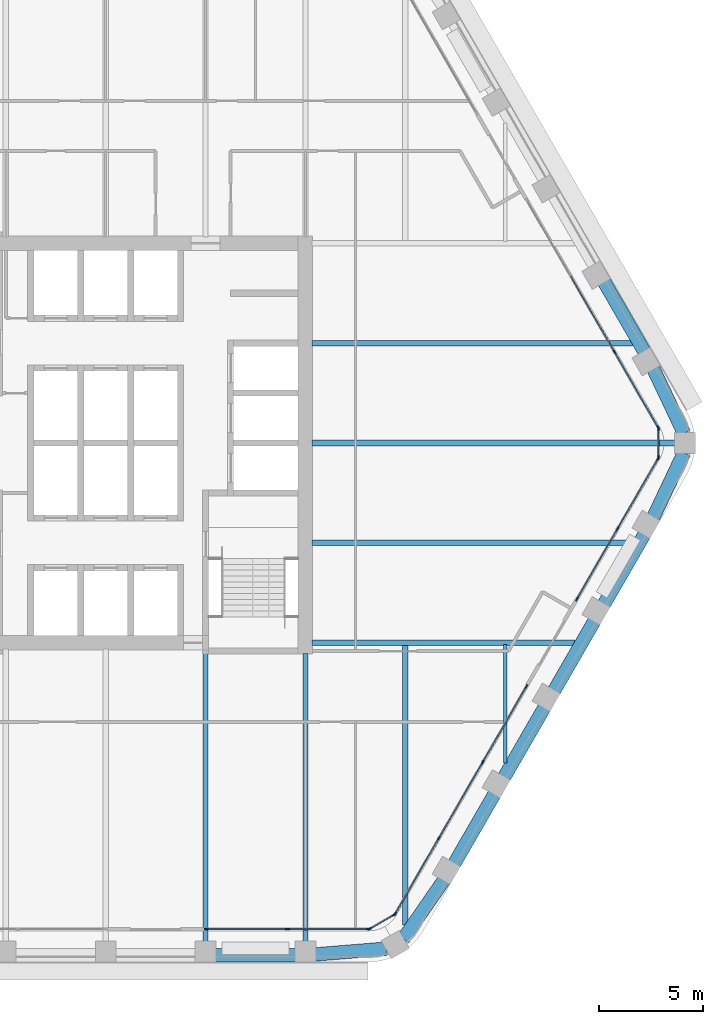
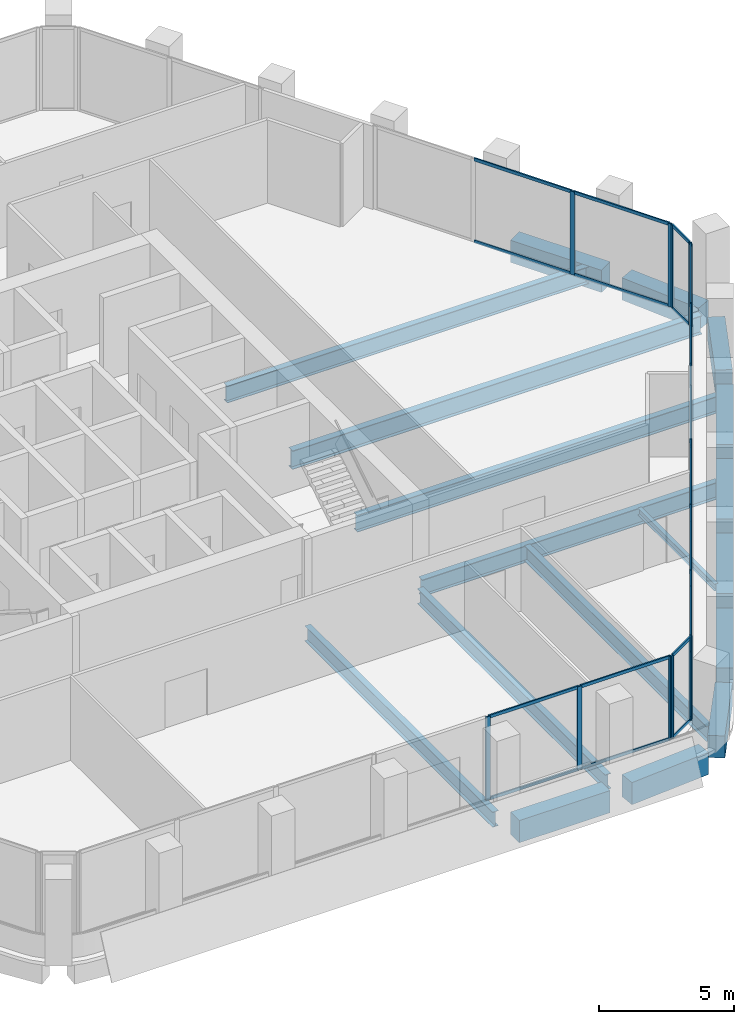
# One storey, part 4 of 15: 38 members, 18 beams, 6 elements without a shape of their own.
"""IFC4 building model written with IfcOpenShell, lengths in metres."""

from ifc_helpers import new_model, si_unit, direction, frame, origin, origin_2d, place, context, subcontext, project, spatial, rectangle, i_section, extrude, material, material_profile, profile_set, type_object, element, aggregate, save


model = new_model("IFC4")

# Units and contexts
model_context = context("Model", 3, precision=1e-05, world=origin(), true_north=direction((0.0, 1.0)))
body_context = subcontext(model_context, "Body", "Model", "MODEL_VIEW")
ifc_project = project(units=[si_unit("LENGTHUNIT", "METRE"), si_unit("AREAUNIT", "SQUARE_METRE"), si_unit("VOLUMEUNIT", "CUBIC_METRE"), si_unit("PLANEANGLEUNIT", "RADIAN"), si_unit("MASSUNIT", "GRAM", prefix="KILO")], contexts=[model_context])

# Site, building, storey
site_placement = place(None, origin())
site = spatial("IfcSite", under=ifc_project, at=site_placement, CompositionType="ELEMENT")
building_placement = place(site_placement, origin())
building = spatial("IfcBuilding", under=site, at=building_placement, Name="Kolab Exchange Tower", CompositionType="ELEMENT")
storey_placement = place(building_placement, frame((0.0, 0.0, 154.39990234375)))
storey = spatial("IfcBuildingStorey", under=building, at=storey_placement, Name="L31", CompositionType="ELEMENT", Elevation=154.39990234375)

# Beams
ifc_material_1 = material(Name="Steel S355", Category="steel")
ifc_material_profile_1 = material_profile(ifc_material_1, i_section(OverallWidth=0.1650390625, OverallDepth=0.31005859375, WebThickness=0.005859375, FlangeThickness=0.009765625, at=origin_2d()), Name="W310X39")
ifc_profile_set_1 = profile_set([ifc_material_profile_1], Name="Steel S355")
beam_type_1 = type_object("IfcBeamType", Name="FLOOR BEAM W310X39", PredefinedType="BEAM", material=ifc_profile_set_1)
beam_1_placement = place(storey_placement, frame((19.199951171875, -15.36767578125, -0.304931640625), z_axis=(0.0, 1.0, 0.0), x_axis=(-1.0, 0.0, 0.0)))
element("IfcBeam", 1, at=beam_1_placement, inside=storey, type_object=beam_type_1, Name="beam/L31/fr/022", PredefinedType="BEAM", context=body_context, shape_type="SweptSolid", body=[
    extrude(i_section(OverallWidth=0.1650390625, OverallDepth=0.31005859375, WebThickness=0.005859375, FlangeThickness=0.009765625, at=origin_2d()), origin(), (0.0, 0.0, 1.0), 5.674072265625),
])
ifc_material_profile_2 = material_profile(ifc_material_1, i_section(OverallWidth=0.25390625, OverallDepth=0.68408203125, WebThickness=0.012451171875, FlangeThickness=0.018798828125, at=origin_2d()), Name="W690X140")
ifc_profile_set_2 = profile_set([ifc_material_profile_2], Name="Steel S355")
beam_type_2 = type_object("IfcBeamType", Name="FLOOR BEAM W690X140", PredefinedType="BEAM", material=ifc_profile_set_2)
for number, where, z_axis, x_axis, name in (
    (2, (4.800048828125, -23.9814453125, -0.491943359375), (0.0, 1.0, 0.0), (-1.0, 0.0, 0.0), "beam/L31/fr/013"),
    (3, (9.60009765625, -23.9814453125, -0.491943359375), (0.0, 1.0, 0.0), (-1.0, 0.0, 0.0), "beam/L31/fr/015"),
):
    element("IfcBeam", number, at=place(storey_placement, frame(where, z_axis=z_axis, x_axis=x_axis)), inside=storey, type_object=beam_type_2, Name=name, PredefinedType="BEAM", context=body_context, shape_type="SweptSolid", body=[
        extrude(i_section(OverallWidth=0.25390625, OverallDepth=0.68408203125, WebThickness=0.012451171875, FlangeThickness=0.018798828125, at=origin_2d()), origin(), (0.0, 0.0, 1.0), 13.871337890625),
    ])
beam_2_placement = place(storey_placement, frame((14.39990234375, -23.15576171875, -0.491943359375), z_axis=(0.0, 1.0, 0.0), x_axis=(-1.0, 0.0, 0.0)))
element("IfcBeam", 4, at=beam_2_placement, inside=storey, type_object=beam_type_2, Name="beam/L31/fr/020", PredefinedType="BEAM", context=body_context, shape_type="SweptSolid", body=[
    extrude(i_section(OverallWidth=0.25390625, OverallDepth=0.68408203125, WebThickness=0.012451171875, FlangeThickness=0.018798828125, at=origin_2d()), origin(), (0.0, 0.0, 1.0), 13.462158203125),
])
ifc_material_profile_3 = material_profile(ifc_material_1, i_section(OverallWidth=0.26708984375, OverallDepth=0.761962890625, WebThickness=0.014404296875, FlangeThickness=0.021484375, at=origin_2d()), Name="W760X173")
ifc_profile_set_3 = profile_set([ifc_material_profile_3], Name="Steel S355")
beam_type_3 = type_object("IfcBeamType", Name="FLOOR BEAM W760X173", PredefinedType="BEAM", material=ifc_profile_set_3)
for number, where, z_axis, x_axis, name in (
    (5, (9.909912109375, -4.800048828125, -0.531005859375), (1.0, 0.0, 0.0), (0.0, 1.0, 0.0), "beam/L31/fr/017"),
    (6, (9.909912109375, 4.800048828125, -0.531005859375), (1.0, 0.0, 0.0), (0.0, 1.0, 0.0), "beam/L31/fr/019"),
):
    element("IfcBeam", number, at=place(storey_placement, frame(where, z_axis=z_axis, x_axis=x_axis)), inside=storey, type_object=beam_type_3, Name=name, PredefinedType="BEAM", context=body_context, shape_type="SweptSolid", body=[
        extrude(i_section(OverallWidth=0.26708984375, OverallDepth=0.761962890625, WebThickness=0.014404296875, FlangeThickness=0.021484375, at=origin_2d()), origin(), (0.0, 0.0, 1.0), 15.408203125),
    ])
ifc_material_profile_4 = material_profile(ifc_material_1, i_section(OverallWidth=0.2919921875, OverallDepth=0.840087890625, WebThickness=0.0146484375, FlangeThickness=0.021728515625, at=origin_2d()), Name="W840X193")
ifc_profile_set_4 = profile_set([ifc_material_profile_4], Name="Steel S355")
beam_type_4 = type_object("IfcBeamType", Name="FLOOR BEAM W840X193", PredefinedType="BEAM", material=ifc_profile_set_4)
beam_3_placement = place(storey_placement, frame((9.909912109375, 0.0, -0.56982421875), z_axis=(1.0, 0.0, 0.0), x_axis=(0.0, 1.0, 0.0)))
element("IfcBeam", 7, at=beam_3_placement, inside=storey, type_object=beam_type_4, Name="beam/L31/fr/018", PredefinedType="BEAM", context=body_context, shape_type="SweptSolid", body=[
    extrude(i_section(OverallWidth=0.2919921875, OverallDepth=0.840087890625, WebThickness=0.0146484375, FlangeThickness=0.021728515625, at=origin_2d()), origin(), (0.0, 0.0, 1.0), 17.466064453125),
])
ifc_material_profile_5 = material_profile(ifc_material_1, i_section(OverallWidth=0.26708984375, OverallDepth=0.761962890625, WebThickness=0.014404296875, FlangeThickness=0.021484375, at=origin_2d()), Name="W760X173")
ifc_profile_set_5 = profile_set([ifc_material_profile_5], Name="Steel S355")
beam_type_5 = type_object("IfcBeamType", Name="FLOOR GIRDER W760X173", PredefinedType="BEAM", material=ifc_profile_set_5)
beam_4_placement = place(storey_placement, frame((9.909912109375, -9.60009765625, -0.531005859375), z_axis=(1.0, 0.0, 0.0), x_axis=(0.0, 1.0, 0.0)))
element("IfcBeam", 8, at=beam_4_placement, inside=storey, type_object=beam_type_5, Name="beam/L31/gd/002", PredefinedType="BEAM", context=body_context, shape_type="SweptSolid", body=[
    extrude(i_section(OverallWidth=0.26708984375, OverallDepth=0.761962890625, WebThickness=0.014404296875, FlangeThickness=0.021484375, at=origin_2d()), origin(), (0.0, 0.0, 1.0), 12.636962890625),
])
ifc_material_2 = material(Name="Concrete C60/75", Category="concrete")
ifc_material_profile_6 = material_profile(ifc_material_2, rectangle(XDim=0.64990234375, YDim=1.0, at=origin_2d()), Name="RC650X1000")
ifc_profile_set_6 = profile_set([ifc_material_profile_6], Name="Concrete C60/75")
beam_type_6 = type_object("IfcBeamType", Name="SPANDREL BEAM 650X1000 C60/75", PredefinedType="BEAM", material=ifc_profile_set_6)
beam_5_placement = place(storey_placement, frame((23.948486328125, 7.7529296875, -0.64990234375), z_axis=(0.499996613652, -0.866027358884, 0.0), x_axis=(0.866027358884, 0.499996613652, 0.0)))
element("IfcBeam", 9, at=beam_5_placement, inside=storey, type_object=beam_type_6, Name="beam/L31/sp/F2-05", PredefinedType="BEAM", context=body_context, shape_type="SweptSolid", body=[
    extrude(rectangle(XDim=0.64990234375, YDim=1.0, at=origin_2d()), origin(), (0.0, 0.0, 1.0), 3.8798828125),
])
for number, where, z_axis, x_axis, name in (
    (10, (26.316162109375, 3.5771484375, -0.64990234375), (0.428177731975, -0.903694544545, 0.0), (0.903694544545, 0.428177731975, 0.0), "beam/L31/sp/F2-06"),
    (11, (27.791259765625, -0.4638671875, -0.64990234375), (-0.428177731975, -0.903694544545, 0.0), (0.903694544545, -0.428177731975, 0.0), "beam/L31/sp/F3-01"),
):
    element("IfcBeam", number, at=place(storey_placement, frame(where, z_axis=z_axis, x_axis=x_axis)), inside=storey, type_object=beam_type_6, Name=name, PredefinedType="BEAM", context=body_context, shape_type="SweptSolid", body=[
        extrude(rectangle(XDim=0.64990234375, YDim=1.0, at=origin_2d()), origin(), (0.0, 0.0, 1.0), 3.445068359375),
    ])
for number, where, z_axis, x_axis, name in (
    (12, (25.888427734375, -4.392822265625, -0.64990234375), (-0.499996613652, -0.866027358884, 0.0), (0.866027358884, -0.499996613652, 0.0), "beam/L31/sp/F3-02"),
    (13, (23.488525390625, -8.5498046875, -0.64990234375), (-0.499996613652, -0.866027358884, 0.0), (0.866027358884, -0.499996613652, 0.0), "beam/L31/sp/F3-03"),
):
    element("IfcBeam", number, at=place(storey_placement, frame(where, z_axis=z_axis, x_axis=x_axis)), inside=storey, type_object=beam_type_6, Name=name, PredefinedType="BEAM", context=body_context, shape_type="SweptSolid", body=[
        extrude(rectangle(XDim=0.64990234375, YDim=1.0, at=origin_2d()), origin(), (0.0, 0.0, 1.0), 3.8798828125),
    ])
beam_6_placement = place(storey_placement, frame((21.088623046875, -12.70654296875, -0.64990234375), z_axis=(-0.50001655835, -0.866015843605, 0.0), x_axis=(0.866015843605, -0.50001655835, 0.0)))
element("IfcBeam", 14, at=beam_6_placement, inside=storey, type_object=beam_type_6, Name="beam/L31/sp/F3-04", PredefinedType="BEAM", context=body_context, shape_type="SweptSolid", body=[
    extrude(rectangle(XDim=0.64990234375, YDim=1.0, at=origin_2d()), origin(), (0.0, 0.0, 1.0), 3.880126953125),
])
beam_7_placement = place(storey_placement, frame((18.6884765625, -16.863525390625, -0.64990234375), z_axis=(-0.499996613652, -0.866027358884, 0.0), x_axis=(0.866027358884, -0.499996613652, 0.0)))
element("IfcBeam", 15, at=beam_7_placement, inside=storey, type_object=beam_type_6, Name="beam/L31/sp/F3-05", PredefinedType="BEAM", context=body_context, shape_type="SweptSolid", body=[
    extrude(rectangle(XDim=0.64990234375, YDim=1.0, at=origin_2d()), origin(), (0.0, 0.0, 1.0), 3.8798828125),
])
for number, where, z_axis, x_axis, name in (
    (16, (16.256103515625, -21.001953125, -0.64990234375), (-0.568572281073, -0.822633309073, 0.0), (0.822633309073, -0.568572281073, 0.0), "beam/L31/sp/F3-06"),
    (17, (13.493896484375, -24.2998046875, -0.64990234375), (-0.996708497182, -0.081068931445, 0.0), (0.081068931445, -0.996708497182, 0.0), "beam/L31/sp/F4-01"),
):
    element("IfcBeam", number, at=place(storey_placement, frame(where, z_axis=z_axis, x_axis=x_axis)), inside=storey, type_object=beam_type_6, Name=name, PredefinedType="BEAM", context=body_context, shape_type="SweptSolid", body=[
        extrude(rectangle(XDim=0.64990234375, YDim=1.0, at=origin_2d()), origin(), (0.0, 0.0, 1.0), 3.445068359375),
    ])
beam_8_placement = place(storey_placement, frame((9.139892578125, -24.616455078125, -0.64990234375), z_axis=(-1.0, 0.0, 0.0), x_axis=(0.0, -1.0, 0.0)))
element("IfcBeam", 18, at=beam_8_placement, inside=storey, type_object=beam_type_6, Name="beam/L31/sp/F4-02", PredefinedType="BEAM", context=body_context, shape_type="SweptSolid", body=[
    extrude(rectangle(XDim=0.64990234375, YDim=1.0, at=origin_2d()), origin(), (0.0, 0.0, 1.0), 3.8798828125),
])

# Curtain wall, members
ifc_material_3 = material(Name="Aluminium EN AW-6063 T6", Category="aluminium")
curtain_wall_type = type_object("IfcCurtainWallType", Name="UNITISED UPPER MID ZONE CURTAIN WALL", PredefinedType="NOTDEFINED", material=ifc_material_3)
curtain_wall_1_placement = place(storey_placement, origin())
curtain_wall_1 = element("IfcCurtainWall", 19, at=curtain_wall_1_placement, inside=storey, type_object=curtain_wall_type, Name="cw/L31/F2-2", PredefinedType="NOTDEFINED")
ifc_material_profile_7 = material_profile(ifc_material_3, rectangle(XDim=0.06005859375, YDim=0.199951171875, at=origin_2d()), Name="RECT 60X200")
ifc_profile_set_7 = profile_set([ifc_material_profile_7], Name="Aluminium EN AW-6063 T6")
member_type_1 = type_object("IfcMemberType", Name="UNITISED UPPER MID ZONE MULLION 60 X 200", PredefinedType="MULLION", material=ifc_profile_set_7)
member_1_placement = place(storey_placement, frame((24.454345703125, 4.366943359375, 0.0), z_axis=(0.0, 0.0, 1.0), x_axis=(0.866025427826, 0.499999958358, 0.0)))
member_1 = element("IfcMember", 20, at=member_1_placement, type_object=member_type_1, Name="CW3 mullion 3", PredefinedType="MULLION", context=body_context, shape_type="SweptSolid", body=[
    extrude(rectangle(XDim=0.06005859375, YDim=0.199951171875, at=origin_2d()), origin(), (0.0, 0.0, 1.0), 3.75),
])
member_2_placement = place(storey_placement, frame((26.550537109375, 0.736083984375, 0.0), z_axis=(0.0, 0.0, 1.0), x_axis=(0.866025427826, 0.499999958358, 0.0)))
member_2 = element("IfcMember", 21, at=member_2_placement, type_object=member_type_1, Name="CW3 mullion 4", PredefinedType="MULLION", context=body_context, shape_type="SweptSolid", body=[
    extrude(rectangle(XDim=0.06005859375, YDim=0.199951171875, at=origin_2d()), origin(), (0.0, 0.0, 1.0), 3.75),
])

curtain_wall_2_placement = place(storey_placement, origin())
curtain_wall_2 = element("IfcCurtainWall", 22, at=curtain_wall_2_placement, inside=storey, type_object=curtain_wall_type, Name="cw/L31/F3-1", PredefinedType="NOTDEFINED")
member_3_placement = place(storey_placement, frame((26.550537109375, -0.736083984375, 0.0), z_axis=(0.0, 0.0, 1.0), x_axis=(0.866025440524, -0.499999936366, 0.0)))
member_3 = element("IfcMember", 23, at=member_3_placement, type_object=member_type_1, Name="CW3 mullion 1", PredefinedType="MULLION", context=body_context, shape_type="SweptSolid", body=[
    extrude(rectangle(XDim=0.06005859375, YDim=0.199951171875, at=origin_2d()), origin(), (0.0, 0.0, 1.0), 3.75),
])
member_4_placement = place(storey_placement, frame((24.5986328125, -4.116943359375, 0.0), z_axis=(0.0, 0.0, 1.0), x_axis=(0.866025440524, -0.499999936366, 0.0)))
member_4 = element("IfcMember", 24, at=member_4_placement, type_object=member_type_1, Name="CW3 mullion 2", PredefinedType="MULLION", context=body_context, shape_type="SweptSolid", body=[
    extrude(rectangle(XDim=0.06005859375, YDim=0.199951171875, at=origin_2d()), origin(), (0.0, 0.0, 1.0), 3.75),
])
member_5_placement = place(storey_placement, frame((22.646728515625, -7.497802734375, 0.0), z_axis=(0.0, 0.0, 1.0), x_axis=(0.866025440524, -0.499999936366, 0.0)))
member_5 = element("IfcMember", 25, at=member_5_placement, type_object=member_type_1, Name="CW3 mullion 3", PredefinedType="MULLION", context=body_context, shape_type="SweptSolid", body=[
    extrude(rectangle(XDim=0.06005859375, YDim=0.199951171875, at=origin_2d()), origin(), (0.0, 0.0, 1.0), 3.75),
])

curtain_wall_3_placement = place(storey_placement, origin())
curtain_wall_3 = element("IfcCurtainWall", 26, at=curtain_wall_3_placement, inside=storey, type_object=curtain_wall_type, Name="cw/L31/F3-2", PredefinedType="NOTDEFINED")
member_6_placement = place(storey_placement, frame((20.216796875, -11.706787109375, 0.0), z_axis=(0.0, 0.0, 1.0), x_axis=(0.866025393644, -0.500000017564, 0.0)))
member_6 = element("IfcMember", 27, at=member_6_placement, type_object=member_type_1, Name="CW3 mullion 1", PredefinedType="MULLION", context=body_context, shape_type="SweptSolid", body=[
    extrude(rectangle(XDim=0.06005859375, YDim=0.199951171875, at=origin_2d()), origin(), (0.0, 0.0, 1.0), 3.75),
])
member_7_placement = place(storey_placement, frame((18.120361328125, -15.337646484375, 0.0), z_axis=(0.0, 0.0, 1.0), x_axis=(0.866025393644, -0.500000017564, 0.0)))
member_7 = element("IfcMember", 28, at=member_7_placement, type_object=member_type_1, Name="CW3 mullion 2", PredefinedType="MULLION", context=body_context, shape_type="SweptSolid", body=[
    extrude(rectangle(XDim=0.06005859375, YDim=0.199951171875, at=origin_2d()), origin(), (0.0, 0.0, 1.0), 3.75),
])
member_8_placement = place(storey_placement, frame((16.009033203125, -18.99462890625, 0.0), z_axis=(0.0, 0.0, 1.0), x_axis=(0.866025393644, -0.500000017564, 0.0)))
member_8 = element("IfcMember", 29, at=member_8_placement, type_object=member_type_1, Name="CW3 mullion 3", PredefinedType="MULLION", context=body_context, shape_type="SweptSolid", body=[
    extrude(rectangle(XDim=0.06005859375, YDim=0.199951171875, at=origin_2d()), origin(), (0.0, 0.0, 1.0), 3.75),
])
member_9_placement = place(storey_placement, frame((13.91259765625, -22.62548828125, 0.0), z_axis=(0.0, 0.0, 1.0), x_axis=(0.866025393644, -0.500000017564, 0.0)))
member_9 = element("IfcMember", 30, at=member_9_placement, type_object=member_type_1, Name="CW3 mullion 4", PredefinedType="MULLION", context=body_context, shape_type="SweptSolid", body=[
    extrude(rectangle(XDim=0.06005859375, YDim=0.199951171875, at=origin_2d()), origin(), (0.0, 0.0, 1.0), 3.75),
])

curtain_wall_4_placement = place(storey_placement, origin())
curtain_wall_4 = element("IfcCurtainWall", 31, at=curtain_wall_4_placement, inside=storey, type_object=curtain_wall_type, Name="cw/L31/F4-1", PredefinedType="NOTDEFINED")
member_10_placement = place(storey_placement, frame((12.637939453125, -23.361572265625, 0.0), z_axis=(0.0, 0.0, 1.0), x_axis=(0.0, -1.0, 0.0)))
member_10 = element("IfcMember", 32, at=member_10_placement, type_object=member_type_1, Name="CW3 mullion 1", PredefinedType="MULLION", context=body_context, shape_type="SweptSolid", body=[
    extrude(rectangle(XDim=0.06005859375, YDim=0.199951171875, at=origin_2d()), origin(), (0.0, 0.0, 1.0), 3.75),
])
member_11_placement = place(storey_placement, frame((8.73388671875, -23.361572265625, 0.0), z_axis=(0.0, 0.0, 1.0), x_axis=(0.0, -1.0, 0.0)))
member_11 = element("IfcMember", 33, at=member_11_placement, type_object=member_type_1, Name="CW3 mullion 2", PredefinedType="MULLION", context=body_context, shape_type="SweptSolid", body=[
    extrude(rectangle(XDim=0.06005859375, YDim=0.199951171875, at=origin_2d()), origin(), (0.0, 0.0, 1.0), 3.75),
])
member_12_placement = place(storey_placement, frame((4.830078125, -23.361572265625, 0.0), z_axis=(0.0, 0.0, 1.0), x_axis=(0.0, -1.0, 0.0)))
member_12 = element("IfcMember", 34, at=member_12_placement, type_object=member_type_1, Name="CW3 mullion 3", PredefinedType="MULLION", context=body_context, shape_type="SweptSolid", body=[
    extrude(rectangle(XDim=0.06005859375, YDim=0.199951171875, at=origin_2d()), origin(), (0.0, 0.0, 1.0), 3.75),
])

curtain_wall_5_placement = place(storey_placement, origin())
curtain_wall_5 = element("IfcCurtainWall", 35, at=curtain_wall_5_placement, inside=storey, type_object=curtain_wall_type, Name="cw/L31/F2F3-corner", PredefinedType="NOTDEFINED")
member_13_placement = place(storey_placement, frame((26.565673828125, 0.679931640625, 0.0), z_axis=(0.0, 0.0, 1.0), x_axis=(1.0, 0.0, 0.0)))
member_13 = element("IfcMember", 36, at=member_13_placement, type_object=member_type_1, Name="CW3 mullion 1", PredefinedType="MULLION", context=body_context, shape_type="SweptSolid", body=[
    extrude(rectangle(XDim=0.06005859375, YDim=0.199951171875, at=origin_2d()), origin(), (0.0, 0.0, 1.0), 3.75),
])
member_14_placement = place(storey_placement, frame((26.565673828125, -0.679931640625, 0.0), z_axis=(0.0, 0.0, 1.0), x_axis=(1.0, 0.0, 0.0)))
member_14 = element("IfcMember", 37, at=member_14_placement, type_object=member_type_1, Name="CW3 mullion 2", PredefinedType="MULLION", context=body_context, shape_type="SweptSolid", body=[
    extrude(rectangle(XDim=0.06005859375, YDim=0.199951171875, at=origin_2d()), origin(), (0.0, 0.0, 1.0), 3.75),
])

curtain_wall_6_placement = place(storey_placement, origin())
curtain_wall_6 = element("IfcCurtainWall", 38, at=curtain_wall_6_placement, inside=storey, type_object=curtain_wall_type, Name="cw/L31/F3F4-corner", PredefinedType="NOTDEFINED")
member_15_placement = place(storey_placement, frame((13.871826171875, -22.66650390625, 0.0), z_axis=(0.0, 0.0, 1.0), x_axis=(0.50000002237, -0.866025390869, 0.0)))
member_15 = element("IfcMember", 39, at=member_15_placement, type_object=member_type_1, Name="CW3 mullion 1", PredefinedType="MULLION", context=body_context, shape_type="SweptSolid", body=[
    extrude(rectangle(XDim=0.06005859375, YDim=0.199951171875, at=origin_2d()), origin(), (0.0, 0.0, 1.0), 3.75),
])
member_16_placement = place(storey_placement, frame((12.69384765625, -23.346435546875, 0.0), z_axis=(0.0, 0.0, 1.0), x_axis=(0.50000002237, -0.866025390869, 0.0)))
member_16 = element("IfcMember", 40, at=member_16_placement, type_object=member_type_1, Name="CW3 mullion 2", PredefinedType="MULLION", context=body_context, shape_type="SweptSolid", body=[
    extrude(rectangle(XDim=0.06005859375, YDim=0.199951171875, at=origin_2d()), origin(), (0.0, 0.0, 1.0), 3.75),
])

# Member
ifc_material_profile_8 = material_profile(ifc_material_3, rectangle(XDim=0.06005859375, YDim=0.139892578125, at=origin_2d()), Name="RECT 60X140")
ifc_profile_set_8 = profile_set([ifc_material_profile_8], Name="Aluminium EN AW-6063 T6")
member_type_2 = type_object("IfcMemberType", Name="UNITISED UPPER MID ZONE TRANSOM 60 X 140", PredefinedType="USERDEFINED", material=ifc_profile_set_8)
member_17_placement = place(storey_placement, frame((22.35791015625, 7.997802734375, 0.030029296875), z_axis=(0.49999322259, -0.866029316688, 0.0), x_axis=(0.866029316688, 0.49999322259, 0.0)))
member_17 = element("IfcMember", 41, at=member_17_placement, type_object=member_type_2, Name="CW3 transom 2.1", ObjectType="TRANSOM", PredefinedType="USERDEFINED", context=body_context, shape_type="SweptSolid", body=[
    extrude(rectangle(XDim=0.06005859375, YDim=0.139892578125, at=origin_2d()), origin(), (0.0, 0.0, 1.0), 4.16259765625),
])

member_18_placement = place(storey_placement, frame((22.35791015625, 7.997802734375, 3.72021484375), z_axis=(0.49999322259, -0.866029316688, 0.0), x_axis=(0.866029316688, 0.49999322259, 0.0)))
member_18 = element("IfcMember", 42, at=member_18_placement, type_object=member_type_2, Name="CW3 transom 2.2", ObjectType="TRANSOM", PredefinedType="USERDEFINED", context=body_context, shape_type="SweptSolid", body=[
    extrude(rectangle(XDim=0.06005859375, YDim=0.139892578125, at=origin_2d()), origin(), (0.0, 0.0, 1.0), 4.16259765625),
])

member_19_placement = place(storey_placement, frame((24.46923828125, 4.3408203125, 0.030029296875), z_axis=(0.500027577057, -0.866009481578, 0.0), x_axis=(0.866009481578, 0.500027577057, 0.0)))
member_19 = element("IfcMember", 43, at=member_19_placement, type_object=member_type_2, Name="CW3 transom 3.1", ObjectType="TRANSOM", PredefinedType="USERDEFINED", context=body_context, shape_type="SweptSolid", body=[
    extrude(rectangle(XDim=0.06005859375, YDim=0.139892578125, at=origin_2d()), origin(), (0.0, 0.0, 1.0), 4.132568359375),
])

member_20_placement = place(storey_placement, frame((24.46923828125, 4.3408203125, 3.72021484375), z_axis=(0.500027577057, -0.866009481578, 0.0), x_axis=(0.866009481578, 0.500027577057, 0.0)))
member_20 = element("IfcMember", 44, at=member_20_placement, type_object=member_type_2, Name="CW3 transom 3.2", ObjectType="TRANSOM", PredefinedType="USERDEFINED", context=body_context, shape_type="SweptSolid", body=[
    extrude(rectangle(XDim=0.06005859375, YDim=0.139892578125, at=origin_2d()), origin(), (0.0, 0.0, 1.0), 4.132568359375),
])

aggregate(curtain_wall_1, [member_1, member_2, member_17, member_18, member_19, member_20])

member_21_placement = place(storey_placement, frame((26.53564453125, -0.761962890625, 0.030029296875), z_axis=(-0.499991857942, -0.866030104553, 0.0), x_axis=(0.866030104553, -0.499991857942, 0.0)))
member_21 = element("IfcMember", 45, at=member_21_placement, type_object=member_type_2, Name="CW3 transom 1.1", ObjectType="TRANSOM", PredefinedType="USERDEFINED", context=body_context, shape_type="SweptSolid", body=[
    extrude(rectangle(XDim=0.06005859375, YDim=0.139892578125, at=origin_2d()), origin(), (0.0, 0.0, 1.0), 3.84375),
])

member_22_placement = place(storey_placement, frame((26.53564453125, -0.761962890625, 3.72021484375), z_axis=(-0.499991857942, -0.866030104553, 0.0), x_axis=(0.866030104553, -0.499991857942, 0.0)))
member_22 = element("IfcMember", 46, at=member_22_placement, type_object=member_type_2, Name="CW3 transom 1.2", ObjectType="TRANSOM", PredefinedType="USERDEFINED", context=body_context, shape_type="SweptSolid", body=[
    extrude(rectangle(XDim=0.06005859375, YDim=0.139892578125, at=origin_2d()), origin(), (0.0, 0.0, 1.0), 3.84375),
])

member_23_placement = place(storey_placement, frame((24.583740234375, -4.142822265625, 0.030029296875), z_axis=(-0.500011990396, -0.866018481016, 0.0), x_axis=(0.866018481016, -0.500011990396, 0.0)))
member_23 = element("IfcMember", 47, at=member_23_placement, type_object=member_type_2, Name="CW3 transom 2.1", ObjectType="TRANSOM", PredefinedType="USERDEFINED", context=body_context, shape_type="SweptSolid", body=[
    extrude(rectangle(XDim=0.06005859375, YDim=0.139892578125, at=origin_2d()), origin(), (0.0, 0.0, 1.0), 3.84423828125),
])

member_24_placement = place(storey_placement, frame((24.583740234375, -4.142822265625, 3.72021484375), z_axis=(-0.500011990396, -0.866018481016, 0.0), x_axis=(0.866018481016, -0.500011990396, 0.0)))
member_24 = element("IfcMember", 48, at=member_24_placement, type_object=member_type_2, Name="CW3 transom 2.2", ObjectType="TRANSOM", PredefinedType="USERDEFINED", context=body_context, shape_type="SweptSolid", body=[
    extrude(rectangle(XDim=0.06005859375, YDim=0.139892578125, at=origin_2d()), origin(), (0.0, 0.0, 1.0), 3.84423828125),
])

aggregate(curtain_wall_2, [member_3, member_4, member_5, member_21, member_22, member_23, member_24])

member_25_placement = place(storey_placement, frame((20.20166015625, -11.732666015625, 0.030029296875), z_axis=(-0.500001996123, -0.866024251319, 0.0), x_axis=(0.866024251319, -0.500001996123, 0.0)))
member_25 = element("IfcMember", 49, at=member_25_placement, type_object=member_type_2, Name="CW3 transom 1.1", ObjectType="TRANSOM", PredefinedType="USERDEFINED", context=body_context, shape_type="SweptSolid", body=[
    extrude(rectangle(XDim=0.06005859375, YDim=0.139892578125, at=origin_2d()), origin(), (0.0, 0.0, 1.0), 4.1328125),
])

member_26_placement = place(storey_placement, frame((20.20166015625, -11.732666015625, 3.72021484375), z_axis=(-0.500001996123, -0.866024251319, 0.0), x_axis=(0.866024251319, -0.500001996123, 0.0)))
member_26 = element("IfcMember", 50, at=member_26_placement, type_object=member_type_2, Name="CW3 transom 1.2", ObjectType="TRANSOM", PredefinedType="USERDEFINED", context=body_context, shape_type="SweptSolid", body=[
    extrude(rectangle(XDim=0.06005859375, YDim=0.139892578125, at=origin_2d()), origin(), (0.0, 0.0, 1.0), 4.1328125),
])

member_27_placement = place(storey_placement, frame((18.10546875, -15.36376953125, 0.030029296875), z_axis=(-0.500037208726, -0.86600392025, 0.0), x_axis=(0.86600392025, -0.500037208726, 0.0)))
member_27 = element("IfcMember", 51, at=member_27_placement, type_object=member_type_2, Name="CW3 transom 2.1", ObjectType="TRANSOM", PredefinedType="USERDEFINED", context=body_context, shape_type="SweptSolid", body=[
    extrude(rectangle(XDim=0.06005859375, YDim=0.139892578125, at=origin_2d()), origin(), (0.0, 0.0, 1.0), 4.162841796875),
])

member_28_placement = place(storey_placement, frame((18.10546875, -15.36376953125, 3.72021484375), z_axis=(-0.500037208726, -0.86600392025, 0.0), x_axis=(0.86600392025, -0.500037208726, 0.0)))
member_28 = element("IfcMember", 52, at=member_28_placement, type_object=member_type_2, Name="CW3 transom 2.2", ObjectType="TRANSOM", PredefinedType="USERDEFINED", context=body_context, shape_type="SweptSolid", body=[
    extrude(rectangle(XDim=0.06005859375, YDim=0.139892578125, at=origin_2d()), origin(), (0.0, 0.0, 1.0), 4.162841796875),
])

member_29_placement = place(storey_placement, frame((15.994140625, -19.0205078125, 0.030029296875), z_axis=(-0.500001996123, -0.866024251319, 0.0), x_axis=(0.866024251319, -0.500001996123, 0.0)))
member_29 = element("IfcMember", 53, at=member_29_placement, type_object=member_type_2, Name="CW3 transom 3.1", ObjectType="TRANSOM", PredefinedType="USERDEFINED", context=body_context, shape_type="SweptSolid", body=[
    extrude(rectangle(XDim=0.06005859375, YDim=0.139892578125, at=origin_2d()), origin(), (0.0, 0.0, 1.0), 4.1328125),
])

member_30_placement = place(storey_placement, frame((15.994140625, -19.0205078125, 3.72021484375), z_axis=(-0.500001996123, -0.866024251319, 0.0), x_axis=(0.866024251319, -0.500001996123, 0.0)))
member_30 = element("IfcMember", 54, at=member_30_placement, type_object=member_type_2, Name="CW3 transom 3.2", ObjectType="TRANSOM", PredefinedType="USERDEFINED", context=body_context, shape_type="SweptSolid", body=[
    extrude(rectangle(XDim=0.06005859375, YDim=0.139892578125, at=origin_2d()), origin(), (0.0, 0.0, 1.0), 4.1328125),
])

aggregate(curtain_wall_3, [member_6, member_7, member_8, member_9, member_25, member_26, member_27, member_28, member_29, member_30])

member_31_placement = place(storey_placement, frame((12.60791015625, -23.361572265625, 0.030029296875), z_axis=(-1.0, 0.0, 0.0), x_axis=(0.0, -1.0, 0.0)))
member_31 = element("IfcMember", 55, at=member_31_placement, type_object=member_type_2, Name="CW3 transom 1.1", ObjectType="TRANSOM", PredefinedType="USERDEFINED", context=body_context, shape_type="SweptSolid", body=[
    extrude(rectangle(XDim=0.06005859375, YDim=0.139892578125, at=origin_2d()), origin(), (0.0, 0.0, 1.0), 3.843994140625),
])

member_32_placement = place(storey_placement, frame((12.60791015625, -23.361572265625, 3.72021484375), z_axis=(-1.0, 0.0, 0.0), x_axis=(0.0, -1.0, 0.0)))
member_32 = element("IfcMember", 56, at=member_32_placement, type_object=member_type_2, Name="CW3 transom 1.2", ObjectType="TRANSOM", PredefinedType="USERDEFINED", context=body_context, shape_type="SweptSolid", body=[
    extrude(rectangle(XDim=0.06005859375, YDim=0.139892578125, at=origin_2d()), origin(), (0.0, 0.0, 1.0), 3.843994140625),
])

member_33_placement = place(storey_placement, frame((8.703857421875, -23.361572265625, 0.030029296875), z_axis=(-1.0, 0.0, 0.0), x_axis=(0.0, -1.0, 0.0)))
member_33 = element("IfcMember", 57, at=member_33_placement, type_object=member_type_2, Name="CW3 transom 2.1", ObjectType="TRANSOM", PredefinedType="USERDEFINED", context=body_context, shape_type="SweptSolid", body=[
    extrude(rectangle(XDim=0.06005859375, YDim=0.139892578125, at=origin_2d()), origin(), (0.0, 0.0, 1.0), 3.84375),
])

member_34_placement = place(storey_placement, frame((8.703857421875, -23.361572265625, 3.72021484375), z_axis=(-1.0, 0.0, 0.0), x_axis=(0.0, -1.0, 0.0)))
member_34 = element("IfcMember", 58, at=member_34_placement, type_object=member_type_2, Name="CW3 transom 2.2", ObjectType="TRANSOM", PredefinedType="USERDEFINED", context=body_context, shape_type="SweptSolid", body=[
    extrude(rectangle(XDim=0.06005859375, YDim=0.139892578125, at=origin_2d()), origin(), (0.0, 0.0, 1.0), 3.84375),
])

aggregate(curtain_wall_4, [member_10, member_11, member_12, member_31, member_32, member_33, member_34])

member_35_placement = place(storey_placement, frame((26.565673828125, 0.64990234375, 0.030029296875), z_axis=(0.0, -1.0, 0.0), x_axis=(1.0, 0.0, 0.0)))
member_35 = element("IfcMember", 59, at=member_35_placement, type_object=member_type_2, Name="CW3 transom 1.1", ObjectType="TRANSOM", PredefinedType="USERDEFINED", context=body_context, shape_type="SweptSolid", body=[
    extrude(rectangle(XDim=0.06005859375, YDim=0.139892578125, at=origin_2d()), origin(), (0.0, 0.0, 1.0), 1.2998046875),
])

member_36_placement = place(storey_placement, frame((26.565673828125, 0.64990234375, 3.72021484375), z_axis=(0.0, -1.0, 0.0), x_axis=(1.0, 0.0, 0.0)))
member_36 = element("IfcMember", 60, at=member_36_placement, type_object=member_type_2, Name="CW3 transom 1.2", ObjectType="TRANSOM", PredefinedType="USERDEFINED", context=body_context, shape_type="SweptSolid", body=[
    extrude(rectangle(XDim=0.06005859375, YDim=0.139892578125, at=origin_2d()), origin(), (0.0, 0.0, 1.0), 1.2998046875),
])

aggregate(curtain_wall_5, [member_13, member_14, member_35, member_36])

member_37_placement = place(storey_placement, frame((13.845703125, -22.681640625, 0.030029296875), z_axis=(-0.86603858612, -0.49997716683, 0.0), x_axis=(0.49997716683, -0.86603858612, 0.0)))
member_37 = element("IfcMember", 61, at=member_37_placement, type_object=member_type_2, Name="CW3 transom 1.1", ObjectType="TRANSOM", PredefinedType="USERDEFINED", context=body_context, shape_type="SweptSolid", body=[
    extrude(rectangle(XDim=0.06005859375, YDim=0.139892578125, at=origin_2d()), origin(), (0.0, 0.0, 1.0), 1.2998046875),
])

member_38_placement = place(storey_placement, frame((13.845703125, -22.681640625, 3.72021484375), z_axis=(-0.86603858612, -0.49997716683, 0.0), x_axis=(0.49997716683, -0.86603858612, 0.0)))
member_38 = element("IfcMember", 62, at=member_38_placement, type_object=member_type_2, Name="CW3 transom 1.2", ObjectType="TRANSOM", PredefinedType="USERDEFINED", context=body_context, shape_type="SweptSolid", body=[
    extrude(rectangle(XDim=0.06005859375, YDim=0.139892578125, at=origin_2d()), origin(), (0.0, 0.0, 1.0), 1.2998046875),
])

aggregate(curtain_wall_6, [member_15, member_16, member_37, member_38])

save(model, "model.ifc")
